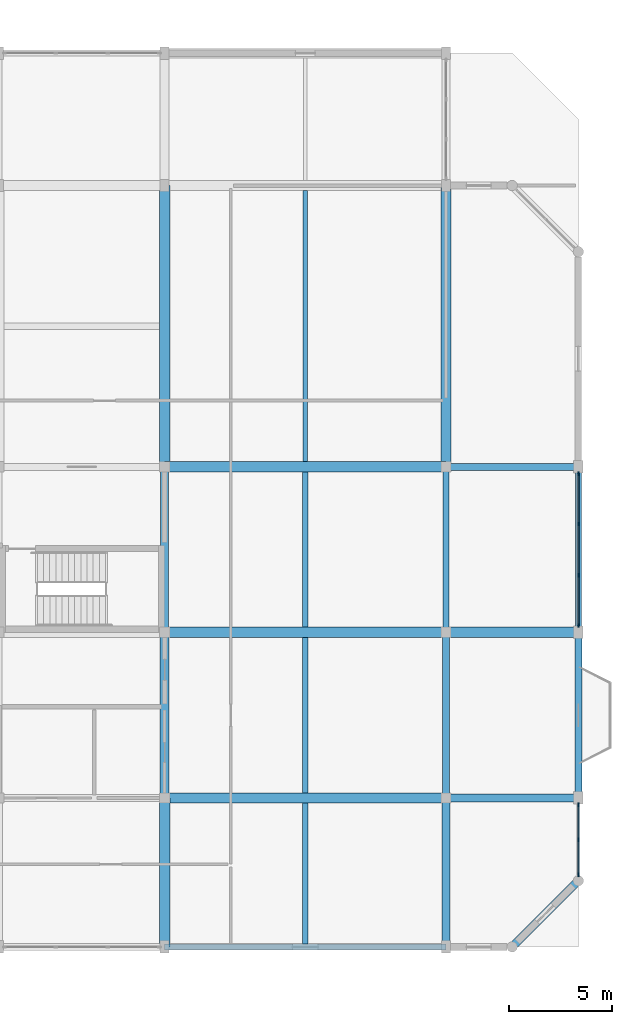
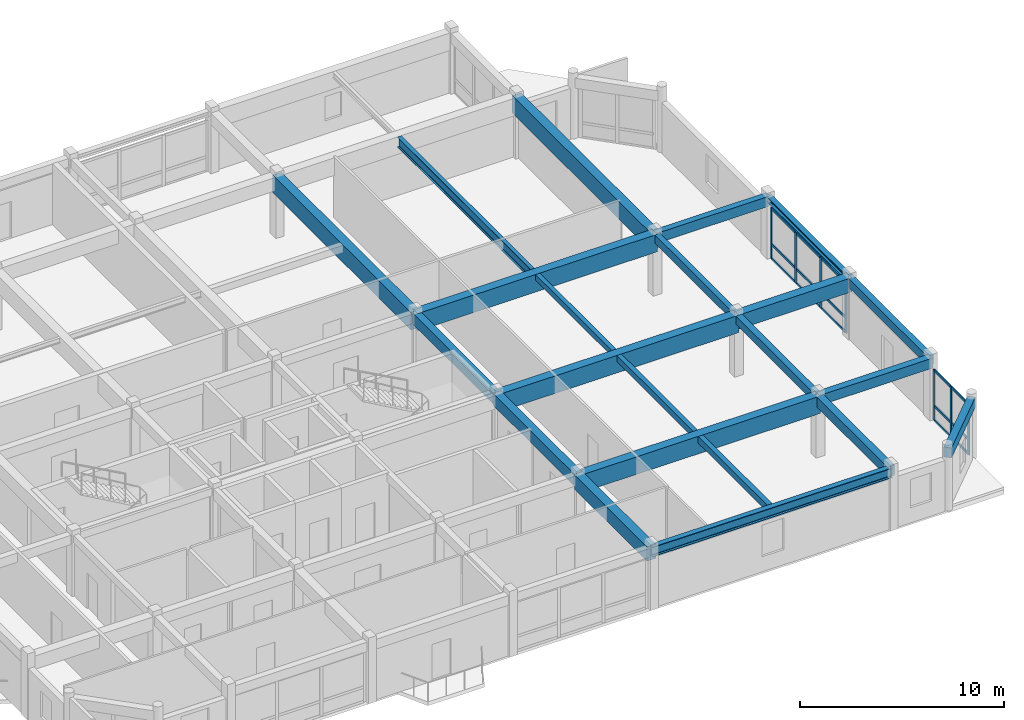
# One storey, part 4 of 12: 22 beams, 22 members, 2 elements without a shape of their own.
"""IFC4 building model written with IfcOpenShell, lengths in metres."""

from ifc_helpers import new_model, si_unit, direction, frame, origin, origin_2d, place, context, subcontext, project, spatial, rectangle, i_section, extrude, material, material_profile, profile_set, type_object, element, aggregate, save


model = new_model("IFC4")

# Units and contexts
model_context = context("Model", 3, precision=1e-05, world=origin(), true_north=direction((0.0, 1.0)))
body_context = subcontext(model_context, "Body", "Model", "MODEL_VIEW")
ifc_project = project(units=[si_unit("LENGTHUNIT", "METRE"), si_unit("AREAUNIT", "SQUARE_METRE"), si_unit("VOLUMEUNIT", "CUBIC_METRE"), si_unit("PLANEANGLEUNIT", "RADIAN"), si_unit("MASSUNIT", "GRAM", prefix="KILO")], contexts=[model_context])

# Site, building, storey
site_placement = place(None, origin())
site = spatial("IfcSite", under=ifc_project, at=site_placement, CompositionType="ELEMENT")
building_placement = place(site_placement, origin())
building = spatial("IfcBuilding", under=site, at=building_placement, Name="Vellmiral Cinema and Media Centre", CompositionType="ELEMENT")
storey_placement = place(building_placement, frame((0.0, 0.0, 62.64990234375)))
storey = spatial("IfcBuildingStorey", under=building, at=storey_placement, Name="L15", CompositionType="ELEMENT", Elevation=62.64990234375)

# Beams
ifc_material_1 = material(Name="Concrete C40/50", Category="concrete")
ifc_material_profile_1 = material_profile(ifc_material_1, rectangle(XDim=0.300048828125, YDim=0.5, at=origin_2d()), Name="RC 300x500")
ifc_profile_set_1 = profile_set([ifc_material_profile_1], Name="Concrete C40/50")
beam_type_1 = type_object("IfcBeamType", Name="BM-RC-300x500", PredefinedType="BEAM", material=ifc_profile_set_1)
beam_1_placement = place(storey_placement, frame((161.60009765625, 87.199951171875, 3.39501953125), z_axis=(0.0, 1.0, 0.0), x_axis=(-1.0, 0.0, 0.0)))
element("IfcBeam", 1, at=beam_1_placement, inside=storey, type_object=beam_type_1, Name="Grid Beam L15-Y055", PredefinedType="BEAM", context=body_context, shape_type="SweptSolid", body=[
    extrude(rectangle(XDim=0.300048828125, YDim=0.5, at=origin_2d()), origin(), (0.0, 0.0, 1.0), 8.0),
])
ifc_material_2 = material(Name="Concrete C40/50", Category="concrete")
ifc_material_profile_2 = material_profile(ifc_material_2, rectangle(XDim=0.35009765625, YDim=0.5, at=origin_2d()), Name="RC 350x500")
ifc_profile_set_2 = profile_set([ifc_material_profile_2], Name="Concrete C40/50")
beam_type_2 = type_object("IfcBeamType", Name="BM-RC-350x500", PredefinedType="BEAM", material=ifc_profile_set_2)
beam_2_placement = place(storey_placement, frame((161.60009765625, 79.199951171875, 3.39501953125), z_axis=(0.0, 1.0, 0.0), x_axis=(-1.0, 0.0, 0.0)))
element("IfcBeam", 2, at=beam_2_placement, inside=storey, type_object=beam_type_2, Name="Grid Beam L15-Y054", PredefinedType="BEAM", context=body_context, shape_type="SweptSolid", body=[
    extrude(rectangle(XDim=0.35009765625, YDim=0.5, at=origin_2d()), origin(), (0.0, 0.0, 1.0), 8.0),
])
ifc_material_3 = material(Name="Concrete C40/50", Category="concrete")
ifc_material_profile_3 = material_profile(ifc_material_3, rectangle(XDim=0.35009765625, YDim=0.60009765625, at=origin_2d()), Name="RC 350x600")
ifc_profile_set_3 = profile_set([ifc_material_profile_3], Name="Concrete C40/50")
beam_type_3 = type_object("IfcBeamType", Name="BM-RC-350x600", PredefinedType="BEAM", material=ifc_profile_set_3)
beam_3_placement = place(storey_placement, frame((161.60009765625, 95.199951171875, 3.34521484375), z_axis=(1.0, 0.0, 0.0), x_axis=(0.0, 1.0, 0.0)))
element("IfcBeam", 3, at=beam_3_placement, inside=storey, type_object=beam_type_3, Name="Grid Beam L15-X022", PredefinedType="BEAM", context=body_context, shape_type="SweptSolid", body=[
    extrude(rectangle(XDim=0.35009765625, YDim=0.60009765625, at=origin_2d()), origin(), (0.0, 0.0, 1.0), 6.39990234375),
])
ifc_material_4 = material(Name="Concrete C40/50", Category="concrete")
ifc_material_profile_4 = material_profile(ifc_material_4, rectangle(XDim=0.39990234375, YDim=0.60009765625, at=origin_2d()), Name="RC 400x600")
ifc_profile_set_4 = profile_set([ifc_material_profile_4], Name="Concrete C40/50")
beam_type_4 = type_object("IfcBeamType", Name="BM-RC-400x600", PredefinedType="BEAM", material=ifc_profile_set_4)
beam_4_placement = place(storey_placement, frame((161.60009765625, 79.199951171875, 3.34521484375), z_axis=(1.0, 0.0, 0.0), x_axis=(0.0, 1.0, 0.0)))
element("IfcBeam", 4, at=beam_4_placement, inside=storey, type_object=beam_type_4, Name="Grid Beam L15-X010", PredefinedType="BEAM", context=body_context, shape_type="SweptSolid", body=[
    extrude(rectangle(XDim=0.39990234375, YDim=0.60009765625, at=origin_2d()), origin(), (0.0, 0.0, 1.0), 6.39990234375),
])
beam_5_placement = place(storey_placement, frame((161.60009765625, 72.0, 3.34521484375), z_axis=(0.0, 1.0, 0.0), x_axis=(-1.0, 0.0, 0.0)))
element("IfcBeam", 5, at=beam_5_placement, inside=storey, type_object=beam_type_4, Name="Grid Beam L15-Y053", PredefinedType="BEAM", context=body_context, shape_type="SweptSolid", body=[
    extrude(rectangle(XDim=0.39990234375, YDim=0.60009765625, at=origin_2d()), origin(), (0.0, 0.0, 1.0), 7.199951171875),
])
ifc_material_5 = material(Name="Concrete C40/50", Category="concrete")
ifc_material_profile_5 = material_profile(ifc_material_5, rectangle(XDim=0.39990234375, YDim=0.64990234375, at=origin_2d()), Name="RC 400x650")
ifc_profile_set_5 = profile_set([ifc_material_profile_5], Name="Concrete C40/50")
beam_type_5 = type_object("IfcBeamType", Name="BM-RC-400x650", PredefinedType="BEAM", material=ifc_profile_set_5)
beam_6_placement = place(storey_placement, frame((148.0, 87.199951171875, 3.320068359375), z_axis=(0.0, 1.0, 0.0), x_axis=(-1.0, 0.0, 0.0)))
element("IfcBeam", 6, at=beam_6_placement, inside=storey, type_object=beam_type_5, Name="Grid Beam L15-Y050", PredefinedType="BEAM", context=body_context, shape_type="SweptSolid", body=[
    extrude(rectangle(XDim=0.39990234375, YDim=0.64990234375, at=origin_2d()), origin(), (0.0, 0.0, 1.0), 8.0),
])
ifc_material_6 = material(Name="Concrete C40/50", Category="concrete")
ifc_material_profile_6 = material_profile(ifc_material_6, rectangle(XDim=0.449951171875, YDim=0.699951171875, at=origin_2d()), Name="RC 450x700")
ifc_profile_set_6 = profile_set([ifc_material_profile_6], Name="Concrete C40/50")
beam_type_6 = type_object("IfcBeamType", Name="BM-RC-450x700", PredefinedType="BEAM", material=ifc_profile_set_6)
beam_7_placement = place(storey_placement, frame((148.0, 79.199951171875, 3.295166015625), z_axis=(0.0, 1.0, 0.0), x_axis=(-1.0, 0.0, 0.0)))
element("IfcBeam", 7, at=beam_7_placement, inside=storey, type_object=beam_type_6, Name="Grid Beam L15-Y049", PredefinedType="BEAM", context=body_context, shape_type="SweptSolid", body=[
    extrude(rectangle(XDim=0.449951171875, YDim=0.699951171875, at=origin_2d()), origin(), (0.0, 0.0, 1.0), 8.0),
])
ifc_material_7 = material(Name="Concrete C40/50", Category="concrete")
ifc_material_profile_7 = material_profile(ifc_material_7, rectangle(XDim=0.5, YDim=0.85009765625, at=origin_2d()), Name="RC 500x850")
ifc_profile_set_7 = profile_set([ifc_material_profile_7], Name="Concrete C40/50")
beam_type_7 = type_object("IfcBeamType", Name="BM-RC-500x850", PredefinedType="BEAM", material=ifc_profile_set_7)
beam_8_placement = place(storey_placement, frame((161.60009765625, 87.199951171875, 3.22021484375), z_axis=(1.0, 0.0, 0.0), x_axis=(0.0, 1.0, 0.0)))
element("IfcBeam", 8, at=beam_8_placement, inside=storey, type_object=beam_type_7, Name="Grid Beam L15-X016", PredefinedType="BEAM", context=body_context, shape_type="SweptSolid", body=[
    extrude(rectangle(XDim=0.5, YDim=0.85009765625, at=origin_2d()), origin(), (0.0, 0.0, 1.0), 6.39990234375),
])
beam_9_placement = place(storey_placement, frame((148.0, 72.0, 3.22021484375), z_axis=(0.0, 1.0, 0.0), x_axis=(-1.0, 0.0, 0.0)))
element("IfcBeam", 9, at=beam_9_placement, inside=storey, type_object=beam_type_7, Name="Grid Beam L15-Y048", PredefinedType="BEAM", context=body_context, shape_type="SweptSolid", body=[
    extrude(rectangle(XDim=0.5, YDim=0.85009765625, at=origin_2d()), origin(), (0.0, 0.0, 1.0), 7.199951171875),
])
ifc_material_8 = material(Name="Concrete C40/50", Category="concrete")
ifc_material_profile_8 = material_profile(ifc_material_8, rectangle(XDim=0.5, YDim=1.050048828125, at=origin_2d()), Name="RC 500x1050")
ifc_profile_set_8 = profile_set([ifc_material_profile_8], Name="Concrete C40/50")
beam_type_8 = type_object("IfcBeamType", Name="BM-RCG-500x1050", PredefinedType="BEAM", material=ifc_profile_set_8)
for number, where, z_axis, x_axis, name in (
    (10, (148.0, 79.199951171875, 3.1201171875), (1.0, 0.0, 0.0), (0.0, 1.0, 0.0), "Grid Beam L15-X009"),
    (11, (148.0, 87.199951171875, 3.1201171875), (1.0, 0.0, 0.0), (0.0, 1.0, 0.0), "Grid Beam L15-X015"),
    (12, (148.0, 95.199951171875, 3.1201171875), (1.0, 0.0, 0.0), (0.0, 1.0, 0.0), "Grid Beam L15-X021"),
    (13, (148.0, 95.199951171875, 3.1201171875), (0.0, 1.0, 0.0), (-1.0, 0.0, 0.0), "Grid Beam L15-Y051"),
    (14, (161.60009765625, 95.199951171875, 3.1201171875), (0.0, 1.0, 0.0), (-1.0, 0.0, 0.0), "Grid Beam L15-Y056"),
):
    element("IfcBeam", number, at=place(storey_placement, frame(where, z_axis=z_axis, x_axis=x_axis)), inside=storey, type_object=beam_type_8, Name=name, PredefinedType="BEAM", context=body_context, shape_type="SweptSolid", body=[
        extrude(rectangle(XDim=0.5, YDim=1.050048828125, at=origin_2d()), origin(), (0.0, 0.0, 1.0), 13.60009765625),
    ])

# Curtain wall, members
ifc_material_9 = material(Name="Thermally Broken Aluminium and Triple Glazing", Category="aluminium")
curtain_wall_type = type_object("IfcCurtainWallType", Name="CW-CROWN-LANTERN", PredefinedType="USERDEFINED", material=ifc_material_9)
curtain_wall_1_placement = place(storey_placement, origin())
curtain_wall_1 = element("IfcCurtainWall", 15, at=curtain_wall_1_placement, inside=storey, type_object=curtain_wall_type, Name="Curtain Wall L15-B008", ObjectType="STICK CURTAIN WALL", PredefinedType="USERDEFINED")
ifc_material_10 = material(Name="Thermally Broken Anodised Aluminium", Category="aluminium")
ifc_material_profile_9 = material_profile(ifc_material_10, rectangle(XDim=0.070068359375, YDim=0.179931640625, at=origin_2d()), Name="MULL 70x180")
ifc_profile_set_9 = profile_set([ifc_material_profile_9], Name="Thermally Broken Anodised Aluminium")
member_type_1 = type_object("IfcMemberType", Name="CWM-70x180", PredefinedType="MULLION", material=ifc_profile_set_9)
member_1_placement = place(storey_placement, frame((168.0, 75.485107421875, 0.0), z_axis=(0.0, 0.0, 1.0), x_axis=(-1.0, 0.0, 0.0)))
member_1 = element("IfcMember", 16, at=member_1_placement, type_object=member_type_1, Name="CW-10 mullion 1", PredefinedType="MULLION", context=body_context, shape_type="SweptSolid", body=[
    extrude(rectangle(XDim=0.070068359375, YDim=0.179931640625, at=origin_2d()), origin(), (0.0, 0.0, 1.0), 3.050048828125),
])
member_2_placement = place(storey_placement, frame((168.0, 77.175048828125, 0.0), z_axis=(0.0, 0.0, 1.0), x_axis=(-1.0, 0.0, 0.0)))
member_2 = element("IfcMember", 17, at=member_2_placement, type_object=member_type_1, Name="CW-10 mullion 2", PredefinedType="MULLION", context=body_context, shape_type="SweptSolid", body=[
    extrude(rectangle(XDim=0.070068359375, YDim=0.179931640625, at=origin_2d()), origin(), (0.0, 0.0, 1.0), 3.050048828125),
])
member_3_placement = place(storey_placement, frame((168.0, 78.864990234375, 0.0), z_axis=(0.0, 0.0, 1.0), x_axis=(-1.0, 0.0, 0.0)))
member_3 = element("IfcMember", 18, at=member_3_placement, type_object=member_type_1, Name="CW-10 mullion 3", PredefinedType="MULLION", context=body_context, shape_type="SweptSolid", body=[
    extrude(rectangle(XDim=0.070068359375, YDim=0.179931640625, at=origin_2d()), origin(), (0.0, 0.0, 1.0), 3.050048828125),
])

curtain_wall_2_placement = place(storey_placement, origin())
curtain_wall_2 = element("IfcCurtainWall", 19, at=curtain_wall_2_placement, inside=storey, type_object=curtain_wall_type, Name="Curtain Wall L15-B010", ObjectType="STICK CURTAIN WALL", PredefinedType="USERDEFINED")
member_4_placement = place(storey_placement, frame((168.0, 87.534912109375, 0.0), z_axis=(0.0, 0.0, 1.0), x_axis=(-1.0, 0.0, 0.0)))
member_4 = element("IfcMember", 20, at=member_4_placement, type_object=member_type_1, Name="CW-10 mullion 1", PredefinedType="MULLION", context=body_context, shape_type="SweptSolid", body=[
    extrude(rectangle(XDim=0.070068359375, YDim=0.179931640625, at=origin_2d()), origin(), (0.0, 0.0, 1.0), 3.050048828125),
])
member_5_placement = place(storey_placement, frame((168.0, 89.966552734375, 0.0), z_axis=(0.0, 0.0, 1.0), x_axis=(-1.0, 0.0, 0.0)))
member_5 = element("IfcMember", 21, at=member_5_placement, type_object=member_type_1, Name="CW-10 mullion 2", PredefinedType="MULLION", context=body_context, shape_type="SweptSolid", body=[
    extrude(rectangle(XDim=0.070068359375, YDim=0.179931640625, at=origin_2d()), origin(), (0.0, 0.0, 1.0), 3.050048828125),
])
member_6_placement = place(storey_placement, frame((168.0, 92.433349609375, 0.0), z_axis=(0.0, 0.0, 1.0), x_axis=(-1.0, 0.0, 0.0)))
member_6 = element("IfcMember", 22, at=member_6_placement, type_object=member_type_1, Name="CW-10 mullion 3", PredefinedType="MULLION", context=body_context, shape_type="SweptSolid", body=[
    extrude(rectangle(XDim=0.070068359375, YDim=0.179931640625, at=origin_2d()), origin(), (0.0, 0.0, 1.0), 3.050048828125),
])
member_7_placement = place(storey_placement, frame((168.0, 94.864990234375, 0.0), z_axis=(0.0, 0.0, 1.0), x_axis=(-1.0, 0.0, 0.0)))
member_7 = element("IfcMember", 23, at=member_7_placement, type_object=member_type_1, Name="CW-10 mullion 4", PredefinedType="MULLION", context=body_context, shape_type="SweptSolid", body=[
    extrude(rectangle(XDim=0.070068359375, YDim=0.179931640625, at=origin_2d()), origin(), (0.0, 0.0, 1.0), 3.050048828125),
])

# Member
ifc_material_11 = material(Name="Thermally Broken Anodised Aluminium", Category="aluminium")
ifc_material_profile_10 = material_profile(ifc_material_11, rectangle(XDim=0.070068359375, YDim=0.14990234375, at=origin_2d()), Name="MULL 70x150")
ifc_profile_set_10 = profile_set([ifc_material_profile_10], Name="Thermally Broken Anodised Aluminium")
member_type_2 = type_object("IfcMemberType", Name="CWT-70x150", PredefinedType="USERDEFINED", material=ifc_profile_set_10)
member_8_placement = place(storey_placement, frame((168.0, 75.52001953125, 0.03515625), z_axis=(0.0, 1.0, 0.0), x_axis=(-1.0, 0.0, 0.0)))
member_8 = element("IfcMember", 24, at=member_8_placement, type_object=member_type_2, Name="CW-10 transom 1.1", ObjectType="TRANSOM", PredefinedType="USERDEFINED", context=body_context, shape_type="SweptSolid", body=[
    extrude(rectangle(XDim=0.070068359375, YDim=0.14990234375, at=origin_2d()), origin(), (0.0, 0.0, 1.0), 1.619873046875),
])

member_9_placement = place(storey_placement, frame((168.0, 75.52001953125, 0.900146484375), z_axis=(0.0, 1.0, 0.0), x_axis=(-1.0, 0.0, 0.0)))
member_9 = element("IfcMember", 25, at=member_9_placement, type_object=member_type_2, Name="CW-10 transom 1.2", ObjectType="TRANSOM", PredefinedType="USERDEFINED", context=body_context, shape_type="SweptSolid", body=[
    extrude(rectangle(XDim=0.070068359375, YDim=0.14990234375, at=origin_2d()), origin(), (0.0, 0.0, 1.0), 1.619873046875),
])

member_10_placement = place(storey_placement, frame((168.0, 75.52001953125, 3.01513671875), z_axis=(0.0, 1.0, 0.0), x_axis=(-1.0, 0.0, 0.0)))
member_10 = element("IfcMember", 26, at=member_10_placement, type_object=member_type_2, Name="CW-10 transom 1.3", ObjectType="TRANSOM", PredefinedType="USERDEFINED", context=body_context, shape_type="SweptSolid", body=[
    extrude(rectangle(XDim=0.070068359375, YDim=0.14990234375, at=origin_2d()), origin(), (0.0, 0.0, 1.0), 1.619873046875),
])

member_11_placement = place(storey_placement, frame((168.0, 77.2099609375, 0.03515625), z_axis=(0.0, 1.0, 0.0), x_axis=(-1.0, 0.0, 0.0)))
member_11 = element("IfcMember", 27, at=member_11_placement, type_object=member_type_2, Name="CW-10 transom 2.1", ObjectType="TRANSOM", PredefinedType="USERDEFINED", context=body_context, shape_type="SweptSolid", body=[
    extrude(rectangle(XDim=0.070068359375, YDim=0.14990234375, at=origin_2d()), origin(), (0.0, 0.0, 1.0), 1.6201171875),
])

member_12_placement = place(storey_placement, frame((168.0, 77.2099609375, 0.900146484375), z_axis=(0.0, 1.0, 0.0), x_axis=(-1.0, 0.0, 0.0)))
member_12 = element("IfcMember", 28, at=member_12_placement, type_object=member_type_2, Name="CW-10 transom 2.2", ObjectType="TRANSOM", PredefinedType="USERDEFINED", context=body_context, shape_type="SweptSolid", body=[
    extrude(rectangle(XDim=0.070068359375, YDim=0.14990234375, at=origin_2d()), origin(), (0.0, 0.0, 1.0), 1.6201171875),
])

member_13_placement = place(storey_placement, frame((168.0, 77.2099609375, 3.01513671875), z_axis=(0.0, 1.0, 0.0), x_axis=(-1.0, 0.0, 0.0)))
member_13 = element("IfcMember", 29, at=member_13_placement, type_object=member_type_2, Name="CW-10 transom 2.3", ObjectType="TRANSOM", PredefinedType="USERDEFINED", context=body_context, shape_type="SweptSolid", body=[
    extrude(rectangle(XDim=0.070068359375, YDim=0.14990234375, at=origin_2d()), origin(), (0.0, 0.0, 1.0), 1.6201171875),
])

aggregate(curtain_wall_1, [member_1, member_2, member_3, member_8, member_9, member_10, member_11, member_12, member_13])

member_14_placement = place(storey_placement, frame((168.0, 87.570068359375, 0.03515625), z_axis=(0.0, 1.0, 0.0), x_axis=(-1.0, 0.0, 0.0)))
member_14 = element("IfcMember", 30, at=member_14_placement, type_object=member_type_2, Name="CW-10 transom 1.1", ObjectType="TRANSOM", PredefinedType="USERDEFINED", context=body_context, shape_type="SweptSolid", body=[
    extrude(rectangle(XDim=0.070068359375, YDim=0.14990234375, at=origin_2d()), origin(), (0.0, 0.0, 1.0), 2.361572265625),
])

member_15_placement = place(storey_placement, frame((168.0, 87.570068359375, 0.900146484375), z_axis=(0.0, 1.0, 0.0), x_axis=(-1.0, 0.0, 0.0)))
member_15 = element("IfcMember", 31, at=member_15_placement, type_object=member_type_2, Name="CW-10 transom 1.2", ObjectType="TRANSOM", PredefinedType="USERDEFINED", context=body_context, shape_type="SweptSolid", body=[
    extrude(rectangle(XDim=0.070068359375, YDim=0.14990234375, at=origin_2d()), origin(), (0.0, 0.0, 1.0), 2.361572265625),
])

member_16_placement = place(storey_placement, frame((168.0, 87.570068359375, 3.01513671875), z_axis=(0.0, 1.0, 0.0), x_axis=(-1.0, 0.0, 0.0)))
member_16 = element("IfcMember", 32, at=member_16_placement, type_object=member_type_2, Name="CW-10 transom 1.3", ObjectType="TRANSOM", PredefinedType="USERDEFINED", context=body_context, shape_type="SweptSolid", body=[
    extrude(rectangle(XDim=0.070068359375, YDim=0.14990234375, at=origin_2d()), origin(), (0.0, 0.0, 1.0), 2.361572265625),
])

member_17_placement = place(storey_placement, frame((168.0, 90.001708984375, 0.03515625), z_axis=(0.0, 1.0, 0.0), x_axis=(-1.0, 0.0, 0.0)))
member_17 = element("IfcMember", 33, at=member_17_placement, type_object=member_type_2, Name="CW-10 transom 2.1", ObjectType="TRANSOM", PredefinedType="USERDEFINED", context=body_context, shape_type="SweptSolid", body=[
    extrude(rectangle(XDim=0.070068359375, YDim=0.14990234375, at=origin_2d()), origin(), (0.0, 0.0, 1.0), 2.396728515625),
])

member_18_placement = place(storey_placement, frame((168.0, 90.001708984375, 0.900146484375), z_axis=(0.0, 1.0, 0.0), x_axis=(-1.0, 0.0, 0.0)))
member_18 = element("IfcMember", 34, at=member_18_placement, type_object=member_type_2, Name="CW-10 transom 2.2", ObjectType="TRANSOM", PredefinedType="USERDEFINED", context=body_context, shape_type="SweptSolid", body=[
    extrude(rectangle(XDim=0.070068359375, YDim=0.14990234375, at=origin_2d()), origin(), (0.0, 0.0, 1.0), 2.396728515625),
])

member_19_placement = place(storey_placement, frame((168.0, 90.001708984375, 3.01513671875), z_axis=(0.0, 1.0, 0.0), x_axis=(-1.0, 0.0, 0.0)))
member_19 = element("IfcMember", 35, at=member_19_placement, type_object=member_type_2, Name="CW-10 transom 2.3", ObjectType="TRANSOM", PredefinedType="USERDEFINED", context=body_context, shape_type="SweptSolid", body=[
    extrude(rectangle(XDim=0.070068359375, YDim=0.14990234375, at=origin_2d()), origin(), (0.0, 0.0, 1.0), 2.396728515625),
])

member_20_placement = place(storey_placement, frame((168.0, 92.46826171875, 0.03515625), z_axis=(0.0, 1.0, 0.0), x_axis=(-1.0, 0.0, 0.0)))
member_20 = element("IfcMember", 36, at=member_20_placement, type_object=member_type_2, Name="CW-10 transom 3.1", ObjectType="TRANSOM", PredefinedType="USERDEFINED", context=body_context, shape_type="SweptSolid", body=[
    extrude(rectangle(XDim=0.070068359375, YDim=0.14990234375, at=origin_2d()), origin(), (0.0, 0.0, 1.0), 2.36181640625),
])

member_21_placement = place(storey_placement, frame((168.0, 92.46826171875, 0.900146484375), z_axis=(0.0, 1.0, 0.0), x_axis=(-1.0, 0.0, 0.0)))
member_21 = element("IfcMember", 37, at=member_21_placement, type_object=member_type_2, Name="CW-10 transom 3.2", ObjectType="TRANSOM", PredefinedType="USERDEFINED", context=body_context, shape_type="SweptSolid", body=[
    extrude(rectangle(XDim=0.070068359375, YDim=0.14990234375, at=origin_2d()), origin(), (0.0, 0.0, 1.0), 2.36181640625),
])

member_22_placement = place(storey_placement, frame((168.0, 92.46826171875, 3.01513671875), z_axis=(0.0, 1.0, 0.0), x_axis=(-1.0, 0.0, 0.0)))
member_22 = element("IfcMember", 38, at=member_22_placement, type_object=member_type_2, Name="CW-10 transom 3.3", ObjectType="TRANSOM", PredefinedType="USERDEFINED", context=body_context, shape_type="SweptSolid", body=[
    extrude(rectangle(XDim=0.070068359375, YDim=0.14990234375, at=origin_2d()), origin(), (0.0, 0.0, 1.0), 2.36181640625),
])

aggregate(curtain_wall_2, [member_4, member_5, member_6, member_7, member_14, member_15, member_16, member_17, member_18, member_19, member_20, member_21, member_22])

# Beams
ifc_material_12 = material(Name="Concrete C40/50", Category="concrete")
ifc_material_profile_11 = material_profile(ifc_material_12, rectangle(XDim=0.25, YDim=0.35009765625, at=origin_2d()), Name="RC 250x350")
ifc_profile_set_11 = profile_set([ifc_material_profile_11], Name="Concrete C40/50")
beam_type_9 = type_object("IfcBeamType", Name="JST-RC-250x350", PredefinedType="JOIST", material=ifc_profile_set_11)
beam_10_placement = place(storey_placement, frame((154.800048828125, 87.449951171875, 3.47021484375), z_axis=(0.0, 1.0, 0.0), x_axis=(-1.0, 0.0, 0.0)))
element("IfcBeam", 39, at=beam_10_placement, inside=storey, type_object=beam_type_9, Name="Secondary Floor Joist L15-006", PredefinedType="JOIST", context=body_context, shape_type="SweptSolid", body=[
    extrude(rectangle(XDim=0.25, YDim=0.35009765625, at=origin_2d()), origin(), (0.0, 0.0, 1.0), 7.5),
])
ifc_material_13 = material(Name="Concrete C40/50", Category="concrete")
ifc_material_profile_12 = material_profile(ifc_material_13, rectangle(XDim=0.260009765625, YDim=0.3798828125, at=origin_2d()), Name="RC 260x380")
ifc_profile_set_12 = profile_set([ifc_material_profile_12], Name="Concrete C40/50")
beam_type_10 = type_object("IfcBeamType", Name="JST-RC-260x380", PredefinedType="JOIST", material=ifc_profile_set_12)
beam_11_placement = place(storey_placement, frame((154.800048828125, 79.449951171875, 3.455078125), z_axis=(0.0, 1.0, 0.0), x_axis=(-1.0, 0.0, 0.0)))
element("IfcBeam", 40, at=beam_11_placement, inside=storey, type_object=beam_type_10, Name="Secondary Floor Joist L15-005", PredefinedType="JOIST", context=body_context, shape_type="SweptSolid", body=[
    extrude(rectangle(XDim=0.260009765625, YDim=0.3798828125, at=origin_2d()), origin(), (0.0, 0.0, 1.0), 7.5),
])
ifc_material_14 = material(Name="Concrete C40/50", Category="concrete")
ifc_material_profile_13 = material_profile(ifc_material_14, rectangle(XDim=0.280029296875, YDim=0.39990234375, at=origin_2d()), Name="RC 280x400")
ifc_profile_set_13 = profile_set([ifc_material_profile_13], Name="Concrete C40/50")
beam_type_11 = type_object("IfcBeamType", Name="JST-RC-280x400", PredefinedType="JOIST", material=ifc_profile_set_13)
beam_12_placement = place(storey_placement, frame((154.800048828125, 72.14990234375, 3.445068359375), z_axis=(0.0, 1.0, 0.0), x_axis=(-1.0, 0.0, 0.0)))
element("IfcBeam", 41, at=beam_12_placement, inside=storey, type_object=beam_type_11, Name="Secondary Floor Joist L15-004", PredefinedType="JOIST", context=body_context, shape_type="SweptSolid", body=[
    extrude(rectangle(XDim=0.280029296875, YDim=0.39990234375, at=origin_2d()), origin(), (0.0, 0.0, 1.0), 6.800048828125),
])
ifc_material_15 = material(Name="Steel S355", Category="steel")
ifc_material_profile_14 = material_profile(ifc_material_15, i_section(OverallWidth=0.300048828125, OverallDepth=0.300048828125, WebThickness=0.010986328125, FlangeThickness=0.01904296875, FilletRadius=0.027099609375, at=origin_2d()), Name="HEB 300")
ifc_profile_set_14 = profile_set([ifc_material_profile_14], Name="Steel S355")
beam_type_12 = type_object("IfcBeamType", Name="SBM-HEB300", PredefinedType="SPANDREL", material=ifc_profile_set_14)
beam_13_placement = place(storey_placement, frame((168.0, 87.199951171875, 3.4951171875), z_axis=(0.0, 1.0, 0.0), x_axis=(-1.0, 0.0, 0.0)))
element("IfcBeam", 42, at=beam_13_placement, inside=storey, type_object=beam_type_12, Name="Grid Beam L15-Y059", PredefinedType="SPANDREL", context=body_context, shape_type="SweptSolid", body=[
    extrude(i_section(OverallWidth=0.300048828125, OverallDepth=0.300048828125, WebThickness=0.010986328125, FlangeThickness=0.01904296875, FilletRadius=0.027099609375, at=origin_2d()), origin(), (0.0, 0.0, 1.0), 8.0),
])
ifc_material_16 = material(Name="Steel S355", Category="steel")
ifc_material_profile_15 = material_profile(ifc_material_16, i_section(OverallWidth=0.300048828125, OverallDepth=0.60009765625, WebThickness=0.015380859375, FlangeThickness=0.030029296875, FilletRadius=0.027099609375, at=origin_2d()), Name="HEB 600")
ifc_profile_set_15 = profile_set([ifc_material_profile_15], Name="Steel S355")
beam_type_13 = type_object("IfcBeamType", Name="SBM-HEB600-SPD", PredefinedType="SPANDREL", material=ifc_profile_set_15)
beam_14_placement = place(storey_placement, frame((148.0, 72.0, 3.34521484375), z_axis=(1.0, 0.0, 0.0), x_axis=(0.0, 1.0, 0.0)))
element("IfcBeam", 43, at=beam_14_placement, inside=storey, type_object=beam_type_13, Name="Grid Beam L15-X004", PredefinedType="SPANDREL", context=body_context, shape_type="SweptSolid", body=[
    extrude(i_section(OverallWidth=0.300048828125, OverallDepth=0.60009765625, WebThickness=0.015380859375, FlangeThickness=0.030029296875, FilletRadius=0.027099609375, at=origin_2d()), origin(), (0.0, 0.0, 1.0), 13.60009765625),
])
ifc_material_17 = material(Name="Steel S355", Category="steel")
ifc_material_profile_16 = material_profile(ifc_material_17, i_section(OverallWidth=0.219970703125, OverallDepth=0.60009765625, WebThickness=0.011962890625, FlangeThickness=0.01904296875, FilletRadius=0.02392578125, at=origin_2d()), Name="IPE 600")
ifc_profile_set_16 = profile_set([ifc_material_profile_16], Name="Steel S355")
beam_type_14 = type_object("IfcBeamType", Name="SBM-IPE600", PredefinedType="JOIST", material=ifc_profile_set_16)
beam_15_placement = place(storey_placement, frame((154.800048828125, 95.449951171875, 3.34521484375), z_axis=(0.0, 1.0, 0.0), x_axis=(-1.0, 0.0, 0.0)))
element("IfcBeam", 44, at=beam_15_placement, inside=storey, type_object=beam_type_14, Name="Secondary Floor Joist L15-007", PredefinedType="JOIST", context=body_context, shape_type="SweptSolid", body=[
    extrude(i_section(OverallWidth=0.219970703125, OverallDepth=0.60009765625, WebThickness=0.011962890625, FlangeThickness=0.01904296875, FilletRadius=0.02392578125, at=origin_2d()), origin(), (0.0, 0.0, 1.0), 13.10009765625),
])
ifc_material_18 = material(Name="Concrete C40/50", Category="concrete")
ifc_material_profile_17 = material_profile(ifc_material_18, rectangle(XDim=0.39990234375, YDim=0.60009765625, at=origin_2d()), Name="RC 400x600")
ifc_profile_set_17 = profile_set([ifc_material_profile_17], Name="Concrete C40/50")
beam_type_15 = type_object("IfcBeamType", Name="SPD-RC-400x600", PredefinedType="SPANDREL", material=ifc_profile_set_17)
beam_16_placement = place(storey_placement, frame((164.800048828125, 72.0, 3.34521484375), z_axis=(0.707106781187, 0.707106781187, 0.0), x_axis=(-0.707106781187, 0.707106781187, 0.0)))
element("IfcBeam", 45, at=beam_16_placement, inside=storey, type_object=beam_type_15, Name="Xamfra Chamfer Spandrel Beam L15-062", PredefinedType="SPANDREL", context=body_context, shape_type="SweptSolid", body=[
    extrude(rectangle(XDim=0.39990234375, YDim=0.60009765625, at=origin_2d()), origin(), (0.0, 0.0, 1.0), 4.525390625),
])
ifc_material_19 = material(Name="Vosges Red Sandstone Masonry", Category="masonry")
ifc_material_profile_18 = material_profile(ifc_material_19, rectangle(XDim=0.340087890625, YDim=0.52001953125, at=origin_2d()), Name="SAND 340x520")
ifc_profile_set_18 = profile_set([ifc_material_profile_18], Name="Vosges Red Sandstone Masonry")
beam_type_16 = type_object("IfcBeamType", Name="SPD-SAND-340x520", PredefinedType="SPANDREL", material=ifc_profile_set_18)
beam_17_placement = place(storey_placement, frame((168.0, 79.199951171875, 3.385009765625), z_axis=(0.0, 1.0, 0.0), x_axis=(-1.0, 0.0, 0.0)))
element("IfcBeam", 46, at=beam_17_placement, inside=storey, type_object=beam_type_16, Name="Grid Beam L15-Y058", PredefinedType="SPANDREL", context=body_context, shape_type="SweptSolid", body=[
    extrude(rectangle(XDim=0.340087890625, YDim=0.52001953125, at=origin_2d()), origin(), (0.0, 0.0, 1.0), 8.0),
])

save(model, "model.ifc")
